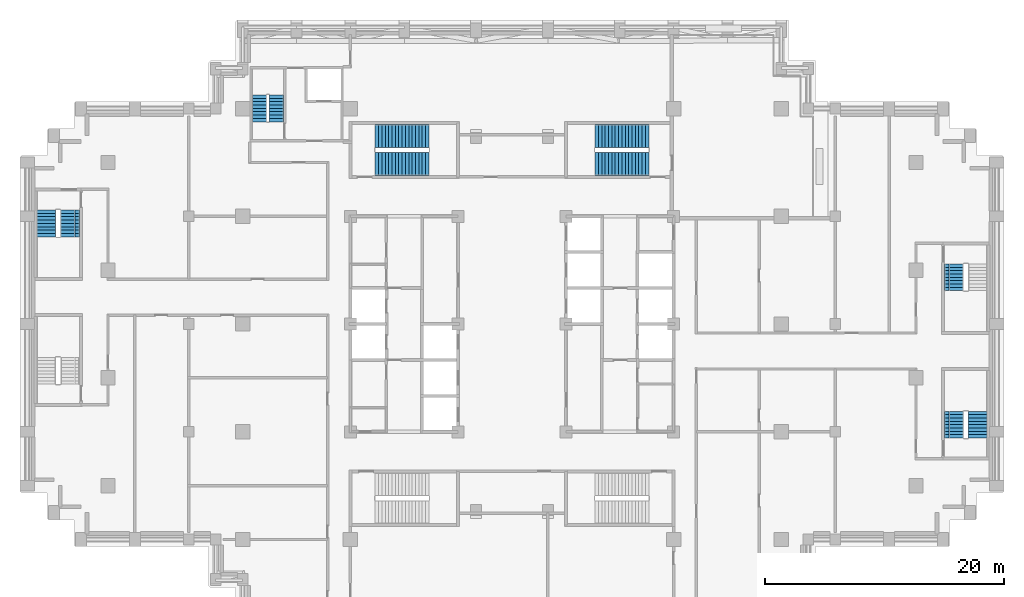
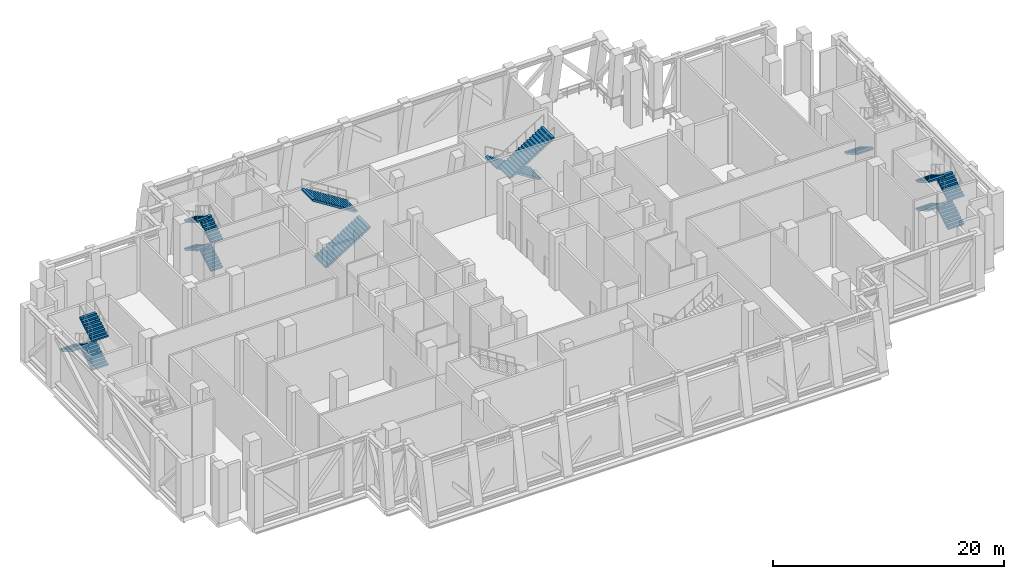
# One storey, part 10 of 14: 16 stair flights, 6 elements without a shape of their own.
"""IFC4 building model written with IfcOpenShell, lengths in metres."""

import ifcopenshell
import ifcopenshell.guid

model = None  # the IFC model being written
_history = None  # IfcOwnerHistory: only IFC2X3 demands one
_inside = {}  # id of a spatial element -> (the spatial element, [elements in it])
_under = {}  # id of a project, library or spatial element -> (it, [spatial elements below it])
_declared = {}  # id of a project -> (the project, [libraries it declares])
_typed = {}  # id of a type object -> (the type object, [elements of that type])
_made_of = {}  # id of a material, layer set ... -> (it, [elements and type objects made of it])


def new_model(schema):
    """Start an empty IFC model of exactly this schema.

    Asked for "IFC4X3", IfcOpenShell would pick the latest addendum, in which some entities
    have other attributes; the version numbers below select the first issue.
    IFC2X3 requires an IfcOwnerHistory on every rooted entity: one is made here for all.
    """
    global model, _history
    if schema == "IFC4X3":
        model = ifcopenshell.file(schema_version=(4, 3, 0, 0))
    else:
        model = ifcopenshell.file(schema=schema)
    _inside.clear()
    _under.clear()
    _declared.clear()
    _typed.clear()
    _made_of.clear()
    _history = None
    if model.schema == "IFC2X3":
        org = make("IfcOrganization", Name="unknown")
        user = make(
            "IfcPersonAndOrganization",
            ThePerson=make("IfcPerson", FamilyName="unknown"),
            TheOrganization=org,
        )
        app = make(
            "IfcApplication",
            ApplicationDeveloper=org,
            Version="unknown",
            ApplicationFullName="unknown",
            ApplicationIdentifier="unknown",
        )
        _history = make(
            "IfcOwnerHistory",
            OwningUser=user,
            OwningApplication=app,
            ChangeAction="ADDED",
            CreationDate=0,
        )
    return model


def make(cls, **values):
    """One entity of the class cls with the attributes given. An attribute that is None is left unset."""
    return model.create_entity(
        cls, **{name: value for name, value in values.items() if value is not None}
    )


def rooted(cls, **values):
    """An entity with a GlobalId (a new one), such as an element, a storey or a relation."""
    return make(cls, GlobalId=ifcopenshell.guid.new(), OwnerHistory=_history, **values)


def si_unit(unit_type, name, prefix=None):
    """IfcSIUnit, for example si_unit("LENGTHUNIT", "METRE", prefix="MILLI")."""
    return make("IfcSIUnit", UnitType=unit_type, Prefix=prefix, Name=name)


def assignment(units):
    """IfcUnitAssignment: the units of a project."""
    return None if units is None else make("IfcUnitAssignment", Units=units)


def point(xyz):
    """IfcCartesianPoint."""
    return None if xyz is None else make("IfcCartesianPoint", Coordinates=xyz)


def direction(xyz):
    """IfcDirection."""
    return None if xyz is None else make("IfcDirection", DirectionRatios=xyz)


def frame(location, z_axis=None, x_axis=None):
    """IfcAxis2Placement3D, a coordinate frame: its origin and axes. An axis left out is left unset."""
    return make(
        "IfcAxis2Placement3D",
        Location=point(location),
        Axis=direction(z_axis),
        RefDirection=direction(x_axis),
    )


def origin():
    """The frame at (0, 0, 0) with its axes left unset."""
    return frame((0.0, 0.0, 0.0))


def place(relative_to, where):
    """IfcLocalPlacement: puts the frame where relative to a parent placement (None: the world)."""
    return make(
        "IfcLocalPlacement", PlacementRelTo=relative_to, RelativePlacement=where
    )


def context(
    kind, dimensions, precision=None, world=None, true_north=None, identifier=None
):
    """IfcGeometricRepresentationContext, for example the 3D "Model" context."""
    return make(
        "IfcGeometricRepresentationContext",
        ContextIdentifier=identifier,
        ContextType=kind,
        CoordinateSpaceDimension=dimensions,
        Precision=precision,
        WorldCoordinateSystem=world,
        TrueNorth=true_north,
    )


def subcontext(parent, identifier, kind, view, scale=None):
    """IfcGeometricRepresentationSubContext, for example "Body" below "Model"."""
    return make(
        "IfcGeometricRepresentationSubContext",
        ContextIdentifier=identifier,
        ContextType=kind,
        ParentContext=parent,
        TargetScale=scale,
        TargetView=view,
    )


def project(units=None, contexts=None):
    """IfcProject with its units and contexts."""
    return rooted(
        "IfcProject",
        Name="project",
        RepresentationContexts=contexts,
        UnitsInContext=assignment(units),
    )


def spatial(cls, under=None, at=None, **own):
    """A site, building, storey or space (cls), placed at a placement, below another one or the project."""
    s = rooted(cls, ObjectPlacement=at, **own)
    if under is not None:
        _under.setdefault(under.id(), (under, []))[1].append(s)
    return s


def polyline(points):
    """IfcPolyline through the points."""
    return make("IfcPolyline", Points=[point(p) for p in points])


def outline(outer, holes=None, kind="AREA"):
    """IfcArbitraryClosedProfileDef: a profile drawn as a closed curve; with holes, ...WithVoids."""
    if holes is None:
        return make("IfcArbitraryClosedProfileDef", ProfileType=kind, OuterCurve=outer)
    return make(
        "IfcArbitraryProfileDefWithVoids",
        ProfileType=kind,
        OuterCurve=outer,
        InnerCurves=holes,
    )


def extrude(swept, where, along, depth):
    """IfcExtrudedAreaSolid: the profile swept, set in the frame where, extruded along a direction by depth."""
    return make(
        "IfcExtrudedAreaSolid",
        SweptArea=swept,
        Position=where,
        ExtrudedDirection=direction(along),
        Depth=depth,
    )


def shape(context_of_items, identifier, shape_type, items):
    """IfcShapeRepresentation: the items that make up one representation, for example the "Body"."""
    return make(
        "IfcShapeRepresentation",
        ContextOfItems=context_of_items,
        RepresentationIdentifier=identifier,
        RepresentationType=shape_type,
        Items=items,
    )


def material(Name=None, Category=None):
    """IfcMaterial."""
    return make("IfcMaterial", Name=Name, Category=Category)


def made_of(thing, what):
    """Note that an element or type object is made of a material, layer set ...; save() writes the relation."""
    if what is not None:
        _made_of.setdefault(what.id(), (what, []))[1].append(thing)
    return thing


def type_object(cls, material=None, **own):
    """A type object (cls), such as IfcWallType, which elements share."""
    return made_of(rooted(cls, **own), material)


def element(
    cls,
    number,
    at=None,
    inside=None,
    cuts=None,
    type_object=None,
    material=None,
    context=None,
    identifier="Body",
    shape_type=None,
    held_by="IfcProductDefinitionShape",
    body=None,
    shapes=None,
    **own,
):
    """One element of the class cls, such as IfcWall. Its Tag is "e" and its number.

    at: its placement. inside: the storey or other place that contains it. cuts: it is an
    opening in that element (IfcRelVoidsElement). A single representation is given by context,
    identifier, shape_type and body (its items); several are given by shapes. held_by: the class
    of the entity that holds the representations. save() writes the other relations.
    """
    e = rooted(cls, Tag="e%d" % number, ObjectPlacement=at, **own)
    if body is not None:
        shapes = [shape(context, identifier, shape_type, body)]
    if shapes is not None:
        e.Representation = make(held_by, Representations=shapes)
    if inside is not None:
        _inside.setdefault(inside.id(), (inside, []))[1].append(e)
    if cuts is not None:
        rooted(
            "IfcRelVoidsElement", RelatingBuildingElement=cuts, RelatedOpeningElement=e
        )
    if type_object is not None:
        _typed.setdefault(type_object.id(), (type_object, []))[1].append(e)
    return made_of(e, material)


def aggregate(whole, parts):
    """IfcRelAggregates: a whole, such as a stair, and the parts it consists of."""
    return rooted("IfcRelAggregates", RelatingObject=whole, RelatedObjects=parts)


def save(model, path):
    """Write the relations noted so far, then the file.

    IfcRelAggregates (storeys below a building ...), IfcRelContainedInSpatialStructure (elements
    in a storey), IfcRelDefinesByType, IfcRelAssociatesMaterial and IfcRelDeclares: one each for
    every whole, place, type object, material and project.
    """
    for whole, parts in _under.values():
        aggregate(whole, parts)
    for where, things in _inside.values():
        rooted(
            "IfcRelContainedInSpatialStructure",
            RelatedElements=things,
            RelatingStructure=where,
        )
    for kind, things in _typed.values():
        rooted("IfcRelDefinesByType", RelatedObjects=things, RelatingType=kind)
    for what, things in _made_of.values():
        rooted("IfcRelAssociatesMaterial", RelatedObjects=things, RelatingMaterial=what)
    for by, libraries in _declared.values():
        rooted("IfcRelDeclares", RelatingContext=by, RelatedDefinitions=libraries)
    model.write(path)


model = new_model("IFC4")

# Units and contexts
model_context = context("Model", 3, precision=1e-05, world=origin(), true_north=direction((0.0, 1.0)))
body_context = subcontext(model_context, "Body", "Model", "MODEL_VIEW")
ifc_project = project(units=[si_unit("LENGTHUNIT", "METRE"), si_unit("AREAUNIT", "SQUARE_METRE"), si_unit("VOLUMEUNIT", "CUBIC_METRE"), si_unit("PLANEANGLEUNIT", "RADIAN"), si_unit("MASSUNIT", "GRAM", prefix="KILO")], contexts=[model_context])

# Site, building, storey
site_placement = place(None, origin())
site = spatial("IfcSite", under=ifc_project, at=site_placement, CompositionType="ELEMENT")
building_placement = place(site_placement, origin())
building = spatial("IfcBuilding", under=site, at=building_placement, Name="Corbelhall Arena Tower", CompositionType="ELEMENT")
storey_placement = place(building_placement, frame((0.0, 0.0, 120.0)))
storey = spatial("IfcBuildingStorey", under=building, at=storey_placement, Name="L22", CompositionType="ELEMENT", Elevation=120.0)

# Stair, stair flights
ifc_material = material(Name="Concrete C40/50", Category="concrete")
stair_type = type_object("IfcStairType", Name="IN-ST-TOWER", PredefinedType="HALF_TURN_STAIR", material=ifc_material)
stair_1_placement = place(storey_placement, origin())
stair_1 = element("IfcStair", 1, at=stair_1_placement, inside=storey, type_object=stair_type, Name="L22 Exit stair ST1", PredefinedType="HALF_TURN_STAIR")
stair_flight_type = type_object("IfcStairFlightType", Name="IN-SFL-RC", PredefinedType="STRAIGHT", material=ifc_material)
stair_flight_1_placement = place(storey_placement, frame((-11.425048828125, 13.39990234375, 0.0), z_axis=(0.0, 0.0, 1.0), x_axis=(1.0, 0.0, 0.0)))
stair_flight_1 = element("IfcStairFlight", 2, at=stair_flight_1_placement, type_object=stair_flight_type, Name="ST1 flight 1", NumberOfRisers=17, NumberOfTreads=16, PredefinedType="STRAIGHT", RiserHeight=0.176470588, TreadLength=0.28, context=body_context, shape_type="SweptSolid", body=[
    extrude(outline(polyline([(0.0, 0.0), (0.0, 0.176513671875), (0.280029296875, 0.176513671875), (0.280029296875, 0.35302734375), (0.56005859375, 0.35302734375), (0.56005859375, 0.529296875), (0.840087890625, 0.529296875), (0.840087890625, 0.705810546875), (1.1201171875, 0.705810546875), (1.1201171875, 0.88232421875), (1.39990234375, 0.88232421875), (1.39990234375, 1.058837890625), (1.679931640625, 1.058837890625), (1.679931640625, 1.2353515625), (1.9599609375, 1.2353515625), (1.9599609375, 1.411865234375), (2.239990234375, 1.411865234375), (2.239990234375, 1.588134765625), (2.52001953125, 1.588134765625), (2.52001953125, 1.7646484375), (2.800048828125, 1.7646484375), (2.800048828125, 1.941162109375), (3.080078125, 1.941162109375), (3.080078125, 2.11767578125), (3.360107421875, 2.11767578125), (3.360107421875, 2.294189453125), (3.639892578125, 2.294189453125), (3.639892578125, 2.470703125), (3.919921875, 2.470703125), (3.919921875, 2.64697265625), (4.199951171875, 2.64697265625), (4.199951171875, 2.823486328125), (4.47998046875, 2.823486328125), (4.47998046875, 3.0), (4.47998046875, 2.646240234375), (0.28125, 0.0), (0.0, 0.0)])), frame((0.0, 0.97509765625, 0.0), z_axis=(0.0, -1.0, 0.0), x_axis=(1.0, 0.0, 0.0)), (0.0, 0.0, 1.0), 1.949951171875),
])
stair_flight_2_placement = place(storey_placement, frame((-6.945068359375, 15.699951171875, 3.0), z_axis=(0.0, 0.0, 1.0), x_axis=(-1.0, 0.0, 0.0)))
stair_flight_2 = element("IfcStairFlight", 3, at=stair_flight_2_placement, type_object=stair_flight_type, Name="ST1 flight 2", NumberOfRisers=17, NumberOfTreads=16, PredefinedType="STRAIGHT", RiserHeight=0.176470588, TreadLength=0.28, context=body_context, shape_type="SweptSolid", body=[
    extrude(outline(polyline([(0.0, 0.0), (0.0, 0.176513671875), (0.280029296875, 0.176513671875), (0.280029296875, 0.35302734375), (0.56005859375, 0.35302734375), (0.56005859375, 0.529296875), (0.840087890625, 0.529296875), (0.840087890625, 0.705810546875), (1.1201171875, 0.705810546875), (1.1201171875, 0.88232421875), (1.39990234375, 0.88232421875), (1.39990234375, 1.058837890625), (1.679931640625, 1.058837890625), (1.679931640625, 1.2353515625), (1.9599609375, 1.2353515625), (1.9599609375, 1.411865234375), (2.239990234375, 1.411865234375), (2.239990234375, 1.588134765625), (2.52001953125, 1.588134765625), (2.52001953125, 1.7646484375), (2.800048828125, 1.7646484375), (2.800048828125, 1.941162109375), (3.080078125, 1.941162109375), (3.080078125, 2.11767578125), (3.360107421875, 2.11767578125), (3.360107421875, 2.294189453125), (3.639892578125, 2.294189453125), (3.639892578125, 2.470703125), (3.919921875, 2.470703125), (3.919921875, 2.64697265625), (4.199951171875, 2.64697265625), (4.199951171875, 2.823486328125), (4.47998046875, 2.823486328125), (4.47998046875, 3.0), (4.47998046875, 2.646240234375), (0.28125, 0.0), (0.0, 0.0)])), frame((0.0, 0.97509765625, 0.0), z_axis=(0.0, -1.0, 0.0), x_axis=(1.0, 0.0, 0.0)), (0.0, 0.0, 1.0), 1.949951171875),
])
aggregate(stair_1, [stair_flight_1, stair_flight_2])

stair_2_placement = place(storey_placement, origin())
stair_2 = element("IfcStair", 4, at=stair_2_placement, inside=storey, type_object=stair_type, Name="L22 Exit stair ST3", PredefinedType="HALF_TURN_STAIR")
stair_flight_3_placement = place(storey_placement, frame((11.425048828125, 15.699951171875, 0.0), z_axis=(0.0, 0.0, 1.0), x_axis=(-1.0, 0.0, 0.0)))
stair_flight_3 = element("IfcStairFlight", 5, at=stair_flight_3_placement, type_object=stair_flight_type, Name="ST3 flight 1", NumberOfRisers=17, NumberOfTreads=16, PredefinedType="STRAIGHT", RiserHeight=0.176470588, TreadLength=0.28, context=body_context, shape_type="SweptSolid", body=[
    extrude(outline(polyline([(0.0, 0.0), (0.0, 0.176513671875), (0.280029296875, 0.176513671875), (0.280029296875, 0.35302734375), (0.56005859375, 0.35302734375), (0.56005859375, 0.529296875), (0.840087890625, 0.529296875), (0.840087890625, 0.705810546875), (1.1201171875, 0.705810546875), (1.1201171875, 0.88232421875), (1.39990234375, 0.88232421875), (1.39990234375, 1.058837890625), (1.679931640625, 1.058837890625), (1.679931640625, 1.2353515625), (1.9599609375, 1.2353515625), (1.9599609375, 1.411865234375), (2.239990234375, 1.411865234375), (2.239990234375, 1.588134765625), (2.52001953125, 1.588134765625), (2.52001953125, 1.7646484375), (2.800048828125, 1.7646484375), (2.800048828125, 1.941162109375), (3.080078125, 1.941162109375), (3.080078125, 2.11767578125), (3.360107421875, 2.11767578125), (3.360107421875, 2.294189453125), (3.639892578125, 2.294189453125), (3.639892578125, 2.470703125), (3.919921875, 2.470703125), (3.919921875, 2.64697265625), (4.199951171875, 2.64697265625), (4.199951171875, 2.823486328125), (4.47998046875, 2.823486328125), (4.47998046875, 3.0), (4.47998046875, 2.646240234375), (0.28125, 0.0), (0.0, 0.0)])), frame((0.0, 0.97509765625, 0.0), z_axis=(0.0, -1.0, 0.0), x_axis=(1.0, 0.0, 0.0)), (0.0, 0.0, 1.0), 1.949951171875),
])
stair_flight_4_placement = place(storey_placement, frame((6.945068359375, 13.39990234375, 3.0), z_axis=(0.0, 0.0, 1.0), x_axis=(1.0, 0.0, 0.0)))
stair_flight_4 = element("IfcStairFlight", 6, at=stair_flight_4_placement, type_object=stair_flight_type, Name="ST3 flight 2", NumberOfRisers=17, NumberOfTreads=16, PredefinedType="STRAIGHT", RiserHeight=0.176470588, TreadLength=0.28, context=body_context, shape_type="SweptSolid", body=[
    extrude(outline(polyline([(0.0, 0.0), (0.0, 0.176513671875), (0.280029296875, 0.176513671875), (0.280029296875, 0.35302734375), (0.56005859375, 0.35302734375), (0.56005859375, 0.529296875), (0.840087890625, 0.529296875), (0.840087890625, 0.705810546875), (1.1201171875, 0.705810546875), (1.1201171875, 0.88232421875), (1.39990234375, 0.88232421875), (1.39990234375, 1.058837890625), (1.679931640625, 1.058837890625), (1.679931640625, 1.2353515625), (1.9599609375, 1.2353515625), (1.9599609375, 1.411865234375), (2.239990234375, 1.411865234375), (2.239990234375, 1.588134765625), (2.52001953125, 1.588134765625), (2.52001953125, 1.7646484375), (2.800048828125, 1.7646484375), (2.800048828125, 1.941162109375), (3.080078125, 1.941162109375), (3.080078125, 2.11767578125), (3.360107421875, 2.11767578125), (3.360107421875, 2.294189453125), (3.639892578125, 2.294189453125), (3.639892578125, 2.470703125), (3.919921875, 2.470703125), (3.919921875, 2.64697265625), (4.199951171875, 2.64697265625), (4.199951171875, 2.823486328125), (4.47998046875, 2.823486328125), (4.47998046875, 3.0), (4.47998046875, 2.646240234375), (0.28125, 0.0), (0.0, 0.0)])), frame((0.0, 0.97509765625, 0.0), z_axis=(0.0, -1.0, 0.0), x_axis=(1.0, 0.0, 0.0)), (0.0, 0.0, 1.0), 1.949951171875),
])
aggregate(stair_2, [stair_flight_3, stair_flight_4])

stair_3_placement = place(storey_placement, origin())
stair_3 = element("IfcStair", 7, at=stair_3_placement, inside=storey, type_object=stair_type, Name="L22 Exit stair SC1", PredefinedType="HALF_TURN_STAIR")
stair_flight_5_placement = place(storey_placement, frame((-36.925048828125, 7.284912109375, 1.5), z_axis=(0.0, 0.0, 1.0), x_axis=(0.0, 1.0, 0.0)))
stair_flight_5 = element("IfcStairFlight", 8, at=stair_flight_5_placement, type_object=stair_flight_type, Name="SC1 flight 2", NumberOfRisers=9, NumberOfTreads=8, PredefinedType="STRAIGHT", RiserHeight=0.166666667, TreadLength=0.28, context=body_context, shape_type="SweptSolid", body=[
    extrude(outline(polyline([(0.0, 0.0), (0.0, 0.166748046875), (0.280029296875, 0.166748046875), (0.280029296875, 0.333251953125), (0.56005859375, 0.333251953125), (0.56005859375, 0.5), (0.840087890625, 0.5), (0.840087890625, 0.666748046875), (1.1201171875, 0.666748046875), (1.1201171875, 0.833251953125), (1.39990234375, 0.833251953125), (1.39990234375, 1.0), (1.679931640625, 1.0), (1.679931640625, 1.166748046875), (1.9599609375, 1.166748046875), (1.9599609375, 1.333251953125), (2.239990234375, 1.333251953125), (2.239990234375, 1.5), (2.239990234375, 1.158935546875), (0.29296875, 0.0), (0.0, 0.0)])), frame((0.0, 0.800048828125, 0.0), z_axis=(0.0, -1.0, 0.0), x_axis=(1.0, 0.0, 0.0)), (0.0, 0.0, 1.0), 0.39990234375),
    extrude(outline(polyline([(0.0, 0.0), (0.0, 0.166748046875), (0.280029296875, 0.166748046875), (0.280029296875, 0.333251953125), (0.56005859375, 0.333251953125), (0.56005859375, 0.5), (0.840087890625, 0.5), (0.840087890625, 0.666748046875), (1.1201171875, 0.666748046875), (1.1201171875, 0.833251953125), (1.39990234375, 0.833251953125), (1.39990234375, 1.0), (1.679931640625, 1.0), (1.679931640625, 1.166748046875), (1.9599609375, 1.166748046875), (1.9599609375, 1.333251953125), (2.239990234375, 1.333251953125), (2.239990234375, 1.5), (2.239990234375, 1.158935546875), (0.29296875, 0.0), (0.0, 0.0)])), frame((0.0, 0.39599609375, 0.0), z_axis=(0.0, -1.0, 0.0), x_axis=(1.0, 0.0, 0.0)), (0.0, 0.0, 1.0), 0.7919921875),
    extrude(outline(polyline([(0.0, 0.0), (0.0, 0.166748046875), (0.280029296875, 0.166748046875), (0.280029296875, 0.333251953125), (0.56005859375, 0.333251953125), (0.56005859375, 0.5), (0.840087890625, 0.5), (0.840087890625, 0.666748046875), (1.1201171875, 0.666748046875), (1.1201171875, 0.833251953125), (1.39990234375, 0.833251953125), (1.39990234375, 1.0), (1.679931640625, 1.0), (1.679931640625, 1.166748046875), (1.9599609375, 1.166748046875), (1.9599609375, 1.333251953125), (2.239990234375, 1.333251953125), (2.239990234375, 1.5), (2.239990234375, 1.158935546875), (0.29296875, 0.0), (0.0, 0.0)])), frame((0.0, -0.39990234375, 0.0), z_axis=(0.0, -1.0, 0.0), x_axis=(1.0, 0.0, 0.0)), (0.0, 0.0, 1.0), 0.39990234375),
])
stair_flight_6_placement = place(storey_placement, frame((-38.89990234375, 9.52490234375, 3.0), z_axis=(0.0, 0.0, 1.0), x_axis=(0.0, -1.0, 0.0)))
stair_flight_6 = element("IfcStairFlight", 9, at=stair_flight_6_placement, type_object=stair_flight_type, Name="SC1 flight 3", NumberOfRisers=9, NumberOfTreads=8, PredefinedType="STRAIGHT", RiserHeight=0.166666667, TreadLength=0.28, context=body_context, shape_type="SweptSolid", body=[
    extrude(outline(polyline([(0.0, 0.0), (0.0, 0.166748046875), (0.280029296875, 0.166748046875), (0.280029296875, 0.333251953125), (0.56005859375, 0.333251953125), (0.56005859375, 0.5), (0.840087890625, 0.5), (0.840087890625, 0.666748046875), (1.1201171875, 0.666748046875), (1.1201171875, 0.833251953125), (1.39990234375, 0.833251953125), (1.39990234375, 1.0), (1.679931640625, 1.0), (1.679931640625, 1.166748046875), (1.9599609375, 1.166748046875), (1.9599609375, 1.333251953125), (2.239990234375, 1.333251953125), (2.239990234375, 1.5), (2.239990234375, 1.158935546875), (0.29296875, 0.0), (0.0, 0.0)])), frame((0.0, 0.800048828125, 0.0), z_axis=(0.0, -1.0, 0.0), x_axis=(1.0, 0.0, 0.0)), (0.0, 0.0, 1.0), 0.39990234375),
    extrude(outline(polyline([(0.0, 0.0), (0.0, 0.166748046875), (0.280029296875, 0.166748046875), (0.280029296875, 0.333251953125), (0.56005859375, 0.333251953125), (0.56005859375, 0.5), (0.840087890625, 0.5), (0.840087890625, 0.666748046875), (1.1201171875, 0.666748046875), (1.1201171875, 0.833251953125), (1.39990234375, 0.833251953125), (1.39990234375, 1.0), (1.679931640625, 1.0), (1.679931640625, 1.166748046875), (1.9599609375, 1.166748046875), (1.9599609375, 1.333251953125), (2.239990234375, 1.333251953125), (2.239990234375, 1.5), (2.239990234375, 1.158935546875), (0.29296875, 0.0), (0.0, 0.0)])), frame((0.0, 0.39599609375, 0.0), z_axis=(0.0, -1.0, 0.0), x_axis=(1.0, 0.0, 0.0)), (0.0, 0.0, 1.0), 0.7919921875),
    extrude(outline(polyline([(0.0, 0.0), (0.0, 0.166748046875), (0.280029296875, 0.166748046875), (0.280029296875, 0.333251953125), (0.56005859375, 0.333251953125), (0.56005859375, 0.5), (0.840087890625, 0.5), (0.840087890625, 0.666748046875), (1.1201171875, 0.666748046875), (1.1201171875, 0.833251953125), (1.39990234375, 0.833251953125), (1.39990234375, 1.0), (1.679931640625, 1.0), (1.679931640625, 1.166748046875), (1.9599609375, 1.166748046875), (1.9599609375, 1.333251953125), (2.239990234375, 1.333251953125), (2.239990234375, 1.5), (2.239990234375, 1.158935546875), (0.29296875, 0.0), (0.0, 0.0)])), frame((0.0, -0.39990234375, 0.0), z_axis=(0.0, -1.0, 0.0), x_axis=(1.0, 0.0, 0.0)), (0.0, 0.0, 1.0), 0.39990234375),
])
stair_flight_7_placement = place(storey_placement, frame((-36.925048828125, 7.284912109375, 4.5), z_axis=(0.0, 0.0, 1.0), x_axis=(0.0, 1.0, 0.0)))
stair_flight_7 = element("IfcStairFlight", 10, at=stair_flight_7_placement, type_object=stair_flight_type, Name="SC1 flight 4", NumberOfRisers=9, NumberOfTreads=8, PredefinedType="STRAIGHT", RiserHeight=0.166666667, TreadLength=0.28, context=body_context, shape_type="SweptSolid", body=[
    extrude(outline(polyline([(0.0, 0.0), (0.0, 0.166748046875), (0.280029296875, 0.166748046875), (0.280029296875, 0.333251953125), (0.56005859375, 0.333251953125), (0.56005859375, 0.5), (0.840087890625, 0.5), (0.840087890625, 0.666748046875), (1.1201171875, 0.666748046875), (1.1201171875, 0.833251953125), (1.39990234375, 0.833251953125), (1.39990234375, 1.0), (1.679931640625, 1.0), (1.679931640625, 1.166748046875), (1.9599609375, 1.166748046875), (1.9599609375, 1.333251953125), (2.239990234375, 1.333251953125), (2.239990234375, 1.5), (2.239990234375, 1.158935546875), (0.29296875, 0.0), (0.0, 0.0)])), frame((0.0, 0.800048828125, 0.0), z_axis=(0.0, -1.0, 0.0), x_axis=(1.0, 0.0, 0.0)), (0.0, 0.0, 1.0), 0.39990234375),
    extrude(outline(polyline([(0.0, 0.0), (0.0, 0.166748046875), (0.280029296875, 0.166748046875), (0.280029296875, 0.333251953125), (0.56005859375, 0.333251953125), (0.56005859375, 0.5), (0.840087890625, 0.5), (0.840087890625, 0.666748046875), (1.1201171875, 0.666748046875), (1.1201171875, 0.833251953125), (1.39990234375, 0.833251953125), (1.39990234375, 1.0), (1.679931640625, 1.0), (1.679931640625, 1.166748046875), (1.9599609375, 1.166748046875), (1.9599609375, 1.333251953125), (2.239990234375, 1.333251953125), (2.239990234375, 1.5), (2.239990234375, 1.158935546875), (0.29296875, 0.0), (0.0, 0.0)])), frame((0.0, 0.39599609375, 0.0), z_axis=(0.0, -1.0, 0.0), x_axis=(1.0, 0.0, 0.0)), (0.0, 0.0, 1.0), 0.7919921875),
    extrude(outline(polyline([(0.0, 0.0), (0.0, 0.166748046875), (0.280029296875, 0.166748046875), (0.280029296875, 0.333251953125), (0.56005859375, 0.333251953125), (0.56005859375, 0.5), (0.840087890625, 0.5), (0.840087890625, 0.666748046875), (1.1201171875, 0.666748046875), (1.1201171875, 0.833251953125), (1.39990234375, 0.833251953125), (1.39990234375, 1.0), (1.679931640625, 1.0), (1.679931640625, 1.166748046875), (1.9599609375, 1.166748046875), (1.9599609375, 1.333251953125), (2.239990234375, 1.333251953125), (2.239990234375, 1.5), (2.239990234375, 1.158935546875), (0.29296875, 0.0), (0.0, 0.0)])), frame((0.0, -0.39990234375, 0.0), z_axis=(0.0, -1.0, 0.0), x_axis=(1.0, 0.0, 0.0)), (0.0, 0.0, 1.0), 0.39990234375),
])
aggregate(stair_3, [stair_flight_5, stair_flight_6, stair_flight_7])

stair_4_placement = place(storey_placement, origin())
stair_4 = element("IfcStair", 11, at=stair_4_placement, inside=storey, type_object=stair_type, Name="L22 Exit stair SD1", PredefinedType="HALF_TURN_STAIR")
stair_flight_8_placement = place(storey_placement, frame((38.89990234375, -9.52490234375, 0.0), z_axis=(0.0, 0.0, 1.0), x_axis=(0.0, 1.0, 0.0)))
stair_flight_8 = element("IfcStairFlight", 12, at=stair_flight_8_placement, type_object=stair_flight_type, Name="SD1 flight 1", NumberOfRisers=9, NumberOfTreads=8, PredefinedType="STRAIGHT", RiserHeight=0.166666667, TreadLength=0.28, context=body_context, shape_type="SweptSolid", body=[
    extrude(outline(polyline([(0.0, 0.0), (0.0, 0.166748046875), (0.280029296875, 0.166748046875), (0.280029296875, 0.333251953125), (0.56005859375, 0.333251953125), (0.56005859375, 0.5), (0.840087890625, 0.5), (0.840087890625, 0.666748046875), (1.1201171875, 0.666748046875), (1.1201171875, 0.833251953125), (1.39990234375, 0.833251953125), (1.39990234375, 1.0), (1.679931640625, 1.0), (1.679931640625, 1.166748046875), (1.9599609375, 1.166748046875), (1.9599609375, 1.333251953125), (2.239990234375, 1.333251953125), (2.239990234375, 1.5), (2.239990234375, 1.158935546875), (0.29296875, 0.0), (0.0, 0.0)])), frame((0.0, 0.800048828125, 0.0), z_axis=(0.0, -1.0, 0.0), x_axis=(1.0, 0.0, 0.0)), (0.0, 0.0, 1.0), 0.39990234375),
    extrude(outline(polyline([(0.0, 0.0), (0.0, 0.166748046875), (0.280029296875, 0.166748046875), (0.280029296875, 0.333251953125), (0.56005859375, 0.333251953125), (0.56005859375, 0.5), (0.840087890625, 0.5), (0.840087890625, 0.666748046875), (1.1201171875, 0.666748046875), (1.1201171875, 0.833251953125), (1.39990234375, 0.833251953125), (1.39990234375, 1.0), (1.679931640625, 1.0), (1.679931640625, 1.166748046875), (1.9599609375, 1.166748046875), (1.9599609375, 1.333251953125), (2.239990234375, 1.333251953125), (2.239990234375, 1.5), (2.239990234375, 1.158935546875), (0.29296875, 0.0), (0.0, 0.0)])), frame((0.0, 0.39599609375, 0.0), z_axis=(0.0, -1.0, 0.0), x_axis=(1.0, 0.0, 0.0)), (0.0, 0.0, 1.0), 0.7919921875),
    extrude(outline(polyline([(0.0, 0.0), (0.0, 0.166748046875), (0.280029296875, 0.166748046875), (0.280029296875, 0.333251953125), (0.56005859375, 0.333251953125), (0.56005859375, 0.5), (0.840087890625, 0.5), (0.840087890625, 0.666748046875), (1.1201171875, 0.666748046875), (1.1201171875, 0.833251953125), (1.39990234375, 0.833251953125), (1.39990234375, 1.0), (1.679931640625, 1.0), (1.679931640625, 1.166748046875), (1.9599609375, 1.166748046875), (1.9599609375, 1.333251953125), (2.239990234375, 1.333251953125), (2.239990234375, 1.5), (2.239990234375, 1.158935546875), (0.29296875, 0.0), (0.0, 0.0)])), frame((0.0, -0.39990234375, 0.0), z_axis=(0.0, -1.0, 0.0), x_axis=(1.0, 0.0, 0.0)), (0.0, 0.0, 1.0), 0.39990234375),
])
stair_flight_9_placement = place(storey_placement, frame((36.925048828125, -7.284912109375, 1.5), z_axis=(0.0, 0.0, 1.0), x_axis=(0.0, -1.0, 0.0)))
stair_flight_9 = element("IfcStairFlight", 13, at=stair_flight_9_placement, type_object=stair_flight_type, Name="SD1 flight 2", NumberOfRisers=9, NumberOfTreads=8, PredefinedType="STRAIGHT", RiserHeight=0.166666667, TreadLength=0.28, context=body_context, shape_type="SweptSolid", body=[
    extrude(outline(polyline([(0.0, 0.0), (0.0, 0.166748046875), (0.280029296875, 0.166748046875), (0.280029296875, 0.333251953125), (0.56005859375, 0.333251953125), (0.56005859375, 0.5), (0.840087890625, 0.5), (0.840087890625, 0.666748046875), (1.1201171875, 0.666748046875), (1.1201171875, 0.833251953125), (1.39990234375, 0.833251953125), (1.39990234375, 1.0), (1.679931640625, 1.0), (1.679931640625, 1.166748046875), (1.9599609375, 1.166748046875), (1.9599609375, 1.333251953125), (2.239990234375, 1.333251953125), (2.239990234375, 1.5), (2.239990234375, 1.158935546875), (0.29296875, 0.0), (0.0, 0.0)])), frame((0.0, 0.800048828125, 0.0), z_axis=(0.0, -1.0, 0.0), x_axis=(1.0, 0.0, 0.0)), (0.0, 0.0, 1.0), 0.39990234375),
    extrude(outline(polyline([(0.0, 0.0), (0.0, 0.166748046875), (0.280029296875, 0.166748046875), (0.280029296875, 0.333251953125), (0.56005859375, 0.333251953125), (0.56005859375, 0.5), (0.840087890625, 0.5), (0.840087890625, 0.666748046875), (1.1201171875, 0.666748046875), (1.1201171875, 0.833251953125), (1.39990234375, 0.833251953125), (1.39990234375, 1.0), (1.679931640625, 1.0), (1.679931640625, 1.166748046875), (1.9599609375, 1.166748046875), (1.9599609375, 1.333251953125), (2.239990234375, 1.333251953125), (2.239990234375, 1.5), (2.239990234375, 1.158935546875), (0.29296875, 0.0), (0.0, 0.0)])), frame((0.0, 0.39599609375, 0.0), z_axis=(0.0, -1.0, 0.0), x_axis=(1.0, 0.0, 0.0)), (0.0, 0.0, 1.0), 0.7919921875),
    extrude(outline(polyline([(0.0, 0.0), (0.0, 0.166748046875), (0.280029296875, 0.166748046875), (0.280029296875, 0.333251953125), (0.56005859375, 0.333251953125), (0.56005859375, 0.5), (0.840087890625, 0.5), (0.840087890625, 0.666748046875), (1.1201171875, 0.666748046875), (1.1201171875, 0.833251953125), (1.39990234375, 0.833251953125), (1.39990234375, 1.0), (1.679931640625, 1.0), (1.679931640625, 1.166748046875), (1.9599609375, 1.166748046875), (1.9599609375, 1.333251953125), (2.239990234375, 1.333251953125), (2.239990234375, 1.5), (2.239990234375, 1.158935546875), (0.29296875, 0.0), (0.0, 0.0)])), frame((0.0, -0.39990234375, 0.0), z_axis=(0.0, -1.0, 0.0), x_axis=(1.0, 0.0, 0.0)), (0.0, 0.0, 1.0), 0.39990234375),
])
stair_flight_10_placement = place(storey_placement, frame((38.89990234375, -9.52490234375, 3.0), z_axis=(0.0, 0.0, 1.0), x_axis=(0.0, 1.0, 0.0)))
stair_flight_10 = element("IfcStairFlight", 14, at=stair_flight_10_placement, type_object=stair_flight_type, Name="SD1 flight 3", NumberOfRisers=9, NumberOfTreads=8, PredefinedType="STRAIGHT", RiserHeight=0.166666667, TreadLength=0.28, context=body_context, shape_type="SweptSolid", body=[
    extrude(outline(polyline([(0.0, 0.0), (0.0, 0.166748046875), (0.280029296875, 0.166748046875), (0.280029296875, 0.333251953125), (0.56005859375, 0.333251953125), (0.56005859375, 0.5), (0.840087890625, 0.5), (0.840087890625, 0.666748046875), (1.1201171875, 0.666748046875), (1.1201171875, 0.833251953125), (1.39990234375, 0.833251953125), (1.39990234375, 1.0), (1.679931640625, 1.0), (1.679931640625, 1.166748046875), (1.9599609375, 1.166748046875), (1.9599609375, 1.333251953125), (2.239990234375, 1.333251953125), (2.239990234375, 1.5), (2.239990234375, 1.158935546875), (0.29296875, 0.0), (0.0, 0.0)])), frame((0.0, 0.800048828125, 0.0), z_axis=(0.0, -1.0, 0.0), x_axis=(1.0, 0.0, 0.0)), (0.0, 0.0, 1.0), 0.39990234375),
    extrude(outline(polyline([(0.0, 0.0), (0.0, 0.166748046875), (0.280029296875, 0.166748046875), (0.280029296875, 0.333251953125), (0.56005859375, 0.333251953125), (0.56005859375, 0.5), (0.840087890625, 0.5), (0.840087890625, 0.666748046875), (1.1201171875, 0.666748046875), (1.1201171875, 0.833251953125), (1.39990234375, 0.833251953125), (1.39990234375, 1.0), (1.679931640625, 1.0), (1.679931640625, 1.166748046875), (1.9599609375, 1.166748046875), (1.9599609375, 1.333251953125), (2.239990234375, 1.333251953125), (2.239990234375, 1.5), (2.239990234375, 1.158935546875), (0.29296875, 0.0), (0.0, 0.0)])), frame((0.0, 0.39599609375, 0.0), z_axis=(0.0, -1.0, 0.0), x_axis=(1.0, 0.0, 0.0)), (0.0, 0.0, 1.0), 0.7919921875),
    extrude(outline(polyline([(0.0, 0.0), (0.0, 0.166748046875), (0.280029296875, 0.166748046875), (0.280029296875, 0.333251953125), (0.56005859375, 0.333251953125), (0.56005859375, 0.5), (0.840087890625, 0.5), (0.840087890625, 0.666748046875), (1.1201171875, 0.666748046875), (1.1201171875, 0.833251953125), (1.39990234375, 0.833251953125), (1.39990234375, 1.0), (1.679931640625, 1.0), (1.679931640625, 1.166748046875), (1.9599609375, 1.166748046875), (1.9599609375, 1.333251953125), (2.239990234375, 1.333251953125), (2.239990234375, 1.5), (2.239990234375, 1.158935546875), (0.29296875, 0.0), (0.0, 0.0)])), frame((0.0, -0.39990234375, 0.0), z_axis=(0.0, -1.0, 0.0), x_axis=(1.0, 0.0, 0.0)), (0.0, 0.0, 1.0), 0.39990234375),
])
stair_flight_11_placement = place(storey_placement, frame((36.925048828125, -7.284912109375, 4.5), z_axis=(0.0, 0.0, 1.0), x_axis=(0.0, -1.0, 0.0)))
stair_flight_11 = element("IfcStairFlight", 15, at=stair_flight_11_placement, type_object=stair_flight_type, Name="SD1 flight 4", NumberOfRisers=9, NumberOfTreads=8, PredefinedType="STRAIGHT", RiserHeight=0.166666667, TreadLength=0.28, context=body_context, shape_type="SweptSolid", body=[
    extrude(outline(polyline([(0.0, 0.0), (0.0, 0.166748046875), (0.280029296875, 0.166748046875), (0.280029296875, 0.333251953125), (0.56005859375, 0.333251953125), (0.56005859375, 0.5), (0.840087890625, 0.5), (0.840087890625, 0.666748046875), (1.1201171875, 0.666748046875), (1.1201171875, 0.833251953125), (1.39990234375, 0.833251953125), (1.39990234375, 1.0), (1.679931640625, 1.0), (1.679931640625, 1.166748046875), (1.9599609375, 1.166748046875), (1.9599609375, 1.333251953125), (2.239990234375, 1.333251953125), (2.239990234375, 1.5), (2.239990234375, 1.158935546875), (0.29296875, 0.0), (0.0, 0.0)])), frame((0.0, 0.800048828125, 0.0), z_axis=(0.0, -1.0, 0.0), x_axis=(1.0, 0.0, 0.0)), (0.0, 0.0, 1.0), 0.39990234375),
    extrude(outline(polyline([(0.0, 0.0), (0.0, 0.166748046875), (0.280029296875, 0.166748046875), (0.280029296875, 0.333251953125), (0.56005859375, 0.333251953125), (0.56005859375, 0.5), (0.840087890625, 0.5), (0.840087890625, 0.666748046875), (1.1201171875, 0.666748046875), (1.1201171875, 0.833251953125), (1.39990234375, 0.833251953125), (1.39990234375, 1.0), (1.679931640625, 1.0), (1.679931640625, 1.166748046875), (1.9599609375, 1.166748046875), (1.9599609375, 1.333251953125), (2.239990234375, 1.333251953125), (2.239990234375, 1.5), (2.239990234375, 1.158935546875), (0.29296875, 0.0), (0.0, 0.0)])), frame((0.0, 0.39599609375, 0.0), z_axis=(0.0, -1.0, 0.0), x_axis=(1.0, 0.0, 0.0)), (0.0, 0.0, 1.0), 0.7919921875),
    extrude(outline(polyline([(0.0, 0.0), (0.0, 0.166748046875), (0.280029296875, 0.166748046875), (0.280029296875, 0.333251953125), (0.56005859375, 0.333251953125), (0.56005859375, 0.5), (0.840087890625, 0.5), (0.840087890625, 0.666748046875), (1.1201171875, 0.666748046875), (1.1201171875, 0.833251953125), (1.39990234375, 0.833251953125), (1.39990234375, 1.0), (1.679931640625, 1.0), (1.679931640625, 1.166748046875), (1.9599609375, 1.166748046875), (1.9599609375, 1.333251953125), (2.239990234375, 1.333251953125), (2.239990234375, 1.5), (2.239990234375, 1.158935546875), (0.29296875, 0.0), (0.0, 0.0)])), frame((0.0, -0.39990234375, 0.0), z_axis=(0.0, -1.0, 0.0), x_axis=(1.0, 0.0, 0.0)), (0.0, 0.0, 1.0), 0.39990234375),
])
aggregate(stair_4, [stair_flight_8, stair_flight_9, stair_flight_10, stair_flight_11])

# Stair, stair flight
stair_5_placement = place(storey_placement, origin())
stair_5 = element("IfcStair", 16, at=stair_5_placement, inside=storey, type_object=stair_type, Name="L22 Exit stair SD2", PredefinedType="HALF_TURN_STAIR")
stair_flight_12_placement = place(storey_placement, frame((36.925048828125, 5.02490234375, 0.0), z_axis=(0.0, 0.0, 1.0), x_axis=(0.0, -1.0, 0.0)))
stair_flight_12 = element("IfcStairFlight", 17, at=stair_flight_12_placement, type_object=stair_flight_type, Name="SD2 flight 1", NumberOfRisers=9, NumberOfTreads=8, PredefinedType="STRAIGHT", RiserHeight=0.166666667, TreadLength=0.28, context=body_context, shape_type="SweptSolid", body=[
    extrude(outline(polyline([(0.0, 0.0), (0.0, 0.166748046875), (0.280029296875, 0.166748046875), (0.280029296875, 0.333251953125), (0.56005859375, 0.333251953125), (0.56005859375, 0.5), (0.840087890625, 0.5), (0.840087890625, 0.666748046875), (1.1201171875, 0.666748046875), (1.1201171875, 0.833251953125), (1.39990234375, 0.833251953125), (1.39990234375, 1.0), (1.679931640625, 1.0), (1.679931640625, 1.166748046875), (1.9599609375, 1.166748046875), (1.9599609375, 1.333251953125), (2.239990234375, 1.333251953125), (2.239990234375, 1.5), (2.239990234375, 1.158935546875), (0.29296875, 0.0), (0.0, 0.0)])), frame((0.0, 0.800048828125, 0.0), z_axis=(0.0, -1.0, 0.0), x_axis=(1.0, 0.0, 0.0)), (0.0, 0.0, 1.0), 0.39990234375),
    extrude(outline(polyline([(0.0, 0.0), (0.0, 0.166748046875), (0.280029296875, 0.166748046875), (0.280029296875, 0.333251953125), (0.56005859375, 0.333251953125), (0.56005859375, 0.5), (0.840087890625, 0.5), (0.840087890625, 0.666748046875), (1.1201171875, 0.666748046875), (1.1201171875, 0.833251953125), (1.39990234375, 0.833251953125), (1.39990234375, 1.0), (1.679931640625, 1.0), (1.679931640625, 1.166748046875), (1.9599609375, 1.166748046875), (1.9599609375, 1.333251953125), (2.239990234375, 1.333251953125), (2.239990234375, 1.5), (2.239990234375, 1.158935546875), (0.29296875, 0.0), (0.0, 0.0)])), frame((0.0, 0.39599609375, 0.0), z_axis=(0.0, -1.0, 0.0), x_axis=(1.0, 0.0, 0.0)), (0.0, 0.0, 1.0), 0.7919921875),
    extrude(outline(polyline([(0.0, 0.0), (0.0, 0.166748046875), (0.280029296875, 0.166748046875), (0.280029296875, 0.333251953125), (0.56005859375, 0.333251953125), (0.56005859375, 0.5), (0.840087890625, 0.5), (0.840087890625, 0.666748046875), (1.1201171875, 0.666748046875), (1.1201171875, 0.833251953125), (1.39990234375, 0.833251953125), (1.39990234375, 1.0), (1.679931640625, 1.0), (1.679931640625, 1.166748046875), (1.9599609375, 1.166748046875), (1.9599609375, 1.333251953125), (2.239990234375, 1.333251953125), (2.239990234375, 1.5), (2.239990234375, 1.158935546875), (0.29296875, 0.0), (0.0, 0.0)])), frame((0.0, -0.39990234375, 0.0), z_axis=(0.0, -1.0, 0.0), x_axis=(1.0, 0.0, 0.0)), (0.0, 0.0, 1.0), 0.39990234375),
])
aggregate(stair_5, [stair_flight_12])

# Stair, stair flights
stair_6_placement = place(storey_placement, origin())
stair_6 = element("IfcStair", 18, at=stair_6_placement, inside=storey, type_object=stair_type, Name="L22 Exit stair ST5", PredefinedType="HALF_TURN_STAIR")
stair_flight_13_placement = place(storey_placement, frame((-19.695068359375, 16.89990234375, 0.0), z_axis=(0.0, 0.0, 1.0), x_axis=(0.0, 1.0, 0.0)))
stair_flight_13 = element("IfcStairFlight", 19, at=stair_flight_13_placement, type_object=stair_flight_type, Name="ST5 flight 1", NumberOfRisers=9, NumberOfTreads=8, PredefinedType="STRAIGHT", RiserHeight=0.166666667, TreadLength=0.28, context=body_context, shape_type="SweptSolid", body=[
    extrude(outline(polyline([(0.0, 0.0), (0.0, 0.166748046875), (0.280029296875, 0.166748046875), (0.280029296875, 0.333251953125), (0.56005859375, 0.333251953125), (0.56005859375, 0.5), (0.840087890625, 0.5), (0.840087890625, 0.666748046875), (1.1201171875, 0.666748046875), (1.1201171875, 0.833251953125), (1.39990234375, 0.833251953125), (1.39990234375, 1.0), (1.679931640625, 1.0), (1.679931640625, 1.166748046875), (1.9599609375, 1.166748046875), (1.9599609375, 1.333251953125), (2.239990234375, 1.333251953125), (2.239990234375, 1.5), (2.239990234375, 1.158935546875), (0.29296875, 0.0), (0.0, 0.0)])), frame((0.0, 0.60009765625, 0.0), z_axis=(0.0, -1.0, 0.0), x_axis=(1.0, 0.0, 0.0)), (0.0, 0.0, 1.0), 1.199951171875),
])
stair_flight_14_placement = place(storey_placement, frame((-21.094970703125, 19.139892578125, 1.5), z_axis=(0.0, 0.0, 1.0), x_axis=(0.0, -1.0, 0.0)))
stair_flight_14 = element("IfcStairFlight", 20, at=stair_flight_14_placement, type_object=stair_flight_type, Name="ST5 flight 2", NumberOfRisers=9, NumberOfTreads=8, PredefinedType="STRAIGHT", RiserHeight=0.166666667, TreadLength=0.28, context=body_context, shape_type="SweptSolid", body=[
    extrude(outline(polyline([(0.0, 0.0), (0.0, 0.166748046875), (0.280029296875, 0.166748046875), (0.280029296875, 0.333251953125), (0.56005859375, 0.333251953125), (0.56005859375, 0.5), (0.840087890625, 0.5), (0.840087890625, 0.666748046875), (1.1201171875, 0.666748046875), (1.1201171875, 0.833251953125), (1.39990234375, 0.833251953125), (1.39990234375, 1.0), (1.679931640625, 1.0), (1.679931640625, 1.166748046875), (1.9599609375, 1.166748046875), (1.9599609375, 1.333251953125), (2.239990234375, 1.333251953125), (2.239990234375, 1.5), (2.239990234375, 1.158935546875), (0.29296875, 0.0), (0.0, 0.0)])), frame((0.0, 0.60009765625, 0.0), z_axis=(0.0, -1.0, 0.0), x_axis=(1.0, 0.0, 0.0)), (0.0, 0.0, 1.0), 1.199951171875),
])
stair_flight_15_placement = place(storey_placement, frame((-19.695068359375, 16.89990234375, 3.0), z_axis=(0.0, 0.0, 1.0), x_axis=(0.0, 1.0, 0.0)))
stair_flight_15 = element("IfcStairFlight", 21, at=stair_flight_15_placement, type_object=stair_flight_type, Name="ST5 flight 3", NumberOfRisers=9, NumberOfTreads=8, PredefinedType="STRAIGHT", RiserHeight=0.166666667, TreadLength=0.28, context=body_context, shape_type="SweptSolid", body=[
    extrude(outline(polyline([(0.0, 0.0), (0.0, 0.166748046875), (0.280029296875, 0.166748046875), (0.280029296875, 0.333251953125), (0.56005859375, 0.333251953125), (0.56005859375, 0.5), (0.840087890625, 0.5), (0.840087890625, 0.666748046875), (1.1201171875, 0.666748046875), (1.1201171875, 0.833251953125), (1.39990234375, 0.833251953125), (1.39990234375, 1.0), (1.679931640625, 1.0), (1.679931640625, 1.166748046875), (1.9599609375, 1.166748046875), (1.9599609375, 1.333251953125), (2.239990234375, 1.333251953125), (2.239990234375, 1.5), (2.239990234375, 1.158935546875), (0.29296875, 0.0), (0.0, 0.0)])), frame((0.0, 0.60009765625, 0.0), z_axis=(0.0, -1.0, 0.0), x_axis=(1.0, 0.0, 0.0)), (0.0, 0.0, 1.0), 1.199951171875),
])
stair_flight_16_placement = place(storey_placement, frame((-21.094970703125, 19.139892578125, 4.5), z_axis=(0.0, 0.0, 1.0), x_axis=(0.0, -1.0, 0.0)))
stair_flight_16 = element("IfcStairFlight", 22, at=stair_flight_16_placement, type_object=stair_flight_type, Name="ST5 flight 4", NumberOfRisers=9, NumberOfTreads=8, PredefinedType="STRAIGHT", RiserHeight=0.166666667, TreadLength=0.28, context=body_context, shape_type="SweptSolid", body=[
    extrude(outline(polyline([(0.0, 0.0), (0.0, 0.166748046875), (0.280029296875, 0.166748046875), (0.280029296875, 0.333251953125), (0.56005859375, 0.333251953125), (0.56005859375, 0.5), (0.840087890625, 0.5), (0.840087890625, 0.666748046875), (1.1201171875, 0.666748046875), (1.1201171875, 0.833251953125), (1.39990234375, 0.833251953125), (1.39990234375, 1.0), (1.679931640625, 1.0), (1.679931640625, 1.166748046875), (1.9599609375, 1.166748046875), (1.9599609375, 1.333251953125), (2.239990234375, 1.333251953125), (2.239990234375, 1.5), (2.239990234375, 1.158935546875), (0.29296875, 0.0), (0.0, 0.0)])), frame((0.0, 0.60009765625, 0.0), z_axis=(0.0, -1.0, 0.0), x_axis=(1.0, 0.0, 0.0)), (0.0, 0.0, 1.0), 1.199951171875),
])
aggregate(stair_6, [stair_flight_13, stair_flight_14, stair_flight_15, stair_flight_16])

save(model, "model.ifc")
